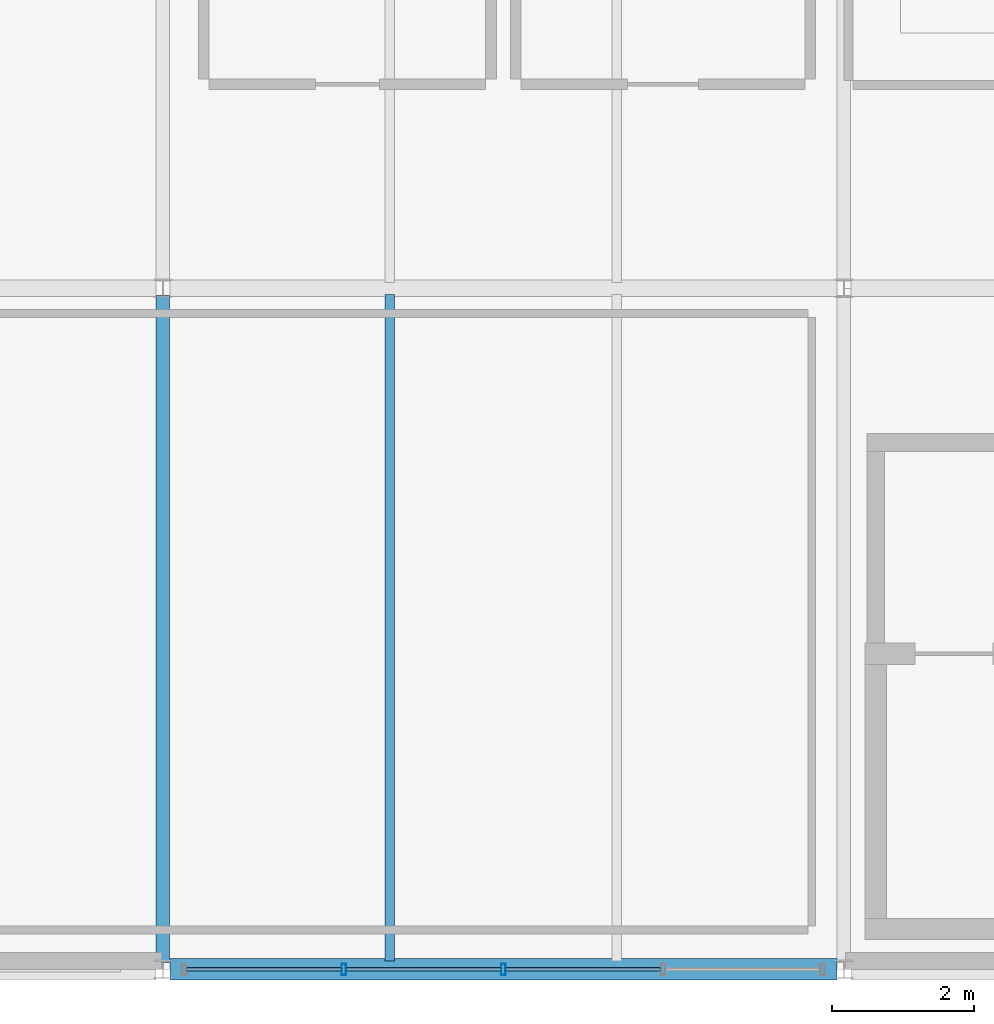
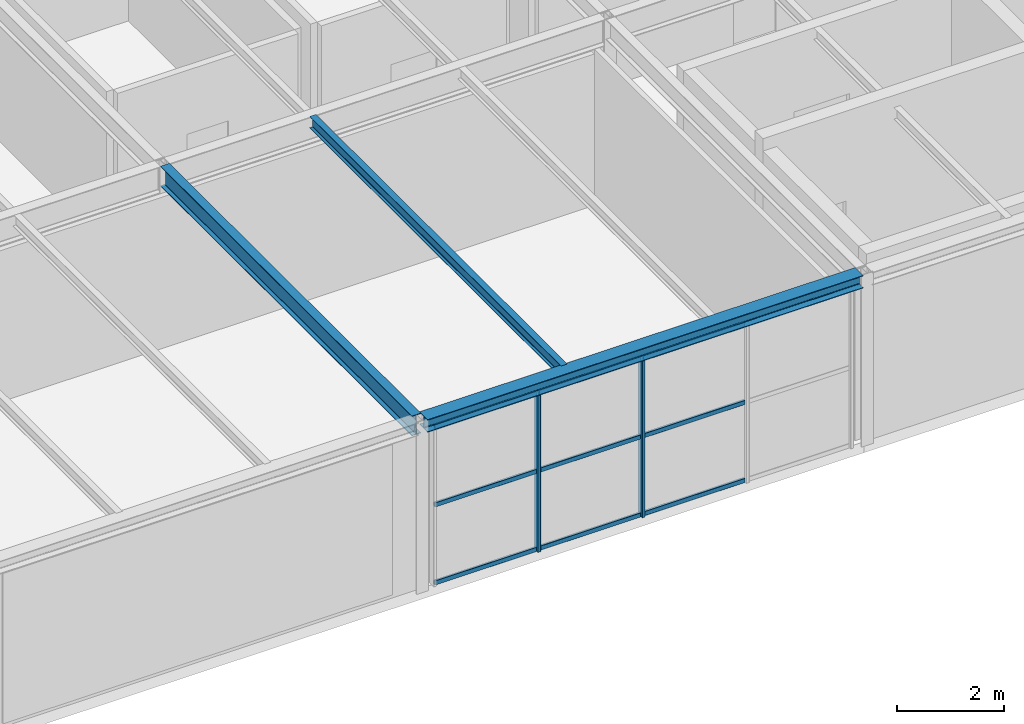
# One storey, part 6 of 33: 11 members, 3 beams, 1 element without a shape of its own.
"""IFC4 building model written with IfcOpenShell, lengths in metres."""

from ifc_helpers import new_model, si_unit, direction, frame, origin, origin_2d, place, context, subcontext, project, spatial, hollow_rectangle, i_section, extrude, material, material_profile, profile_set, type_object, element, aggregate, save


model = new_model("IFC4")

# Units and contexts
model_context = context("Model", 3, precision=1e-05, world=origin(), true_north=direction((0.0, 1.0)))
body_context = subcontext(model_context, "Body", "Model", "MODEL_VIEW")
ifc_project = project(units=[si_unit("LENGTHUNIT", "METRE"), si_unit("AREAUNIT", "SQUARE_METRE"), si_unit("VOLUMEUNIT", "CUBIC_METRE"), si_unit("PLANEANGLEUNIT", "RADIAN"), si_unit("MASSUNIT", "GRAM", prefix="KILO")], contexts=[model_context])

# Site, building, storey
site_placement = place(None, origin())
site = spatial("IfcSite", under=ifc_project, at=site_placement, CompositionType="ELEMENT")
building_placement = place(site_placement, origin())
building = spatial("IfcBuilding", under=site, at=building_placement, Name="Coralgate Yard Interchange", CompositionType="ELEMENT")
storey_placement = place(building_placement, frame((0.0, 0.0, 23.10009765625)))
storey = spatial("IfcBuildingStorey", under=building, at=storey_placement, Name="L05", CompositionType="ELEMENT", Elevation=23.10009765625)

# Beams
ifc_material_1 = material(Name="Structural steel S355J2", Category="steel")
ifc_material_profile_1 = material_profile(ifc_material_1, i_section(OverallWidth=0.1904296875, OverallDepth=0.45703125, WebThickness=0.009033203125, FlangeThickness=0.014404296875, FilletRadius=0.01025390625, at=origin_2d()), Name="UB 457x191x74")
ifc_profile_set_1 = profile_set([ifc_material_profile_1], Name="Structural steel S355J2")
beam_type_1 = type_object("IfcBeamType", Name="BM-SB-2", PredefinedType="BEAM", material=ifc_profile_set_1)
beam_1_placement = place(storey_placement, frame((9.60009765625, 0.10009765625, 3.69140625), z_axis=(0.0, 1.0, 0.0), x_axis=(-1.0, 0.0, 0.0)))
element("IfcBeam", 1, at=beam_1_placement, inside=storey, type_object=beam_type_1, Name="L05 primary grid girder X1 Y0-1", PredefinedType="BEAM", context=body_context, shape_type="SweptSolid", body=[
    extrude(i_section(OverallWidth=0.1904296875, OverallDepth=0.45703125, WebThickness=0.009033203125, FlangeThickness=0.014404296875, FilletRadius=0.01025390625, at=origin_2d()), origin(), (0.0, 0.0, 1.0), 9.39990234375),
])
ifc_material_profile_2 = material_profile(ifc_material_1, i_section(OverallWidth=0.135009765625, OverallDepth=0.27001953125, WebThickness=0.006591796875, FlangeThickness=0.01025390625, FilletRadius=0.014892578125, at=origin_2d()), Name="IPE 270")
ifc_profile_set_2 = profile_set([ifc_material_profile_2], Name="Structural steel S355J2")
beam_type_2 = type_object("IfcBeamType", Name="BM-SJ-3", PredefinedType="JOIST", material=ifc_profile_set_2)
beam_2_placement = place(storey_placement, frame((12.800048828125, 0.1201171875, 3.784912109375), z_axis=(0.0, 1.0, 0.0), x_axis=(-1.0, 0.0, 0.0)))
element("IfcBeam", 2, at=beam_2_placement, inside=storey, type_object=beam_type_2, Name="L05 composite floor joist 1-0-1", PredefinedType="JOIST", context=body_context, shape_type="SweptSolid", body=[
    extrude(i_section(OverallWidth=0.135009765625, OverallDepth=0.27001953125, WebThickness=0.006591796875, FlangeThickness=0.01025390625, FilletRadius=0.014892578125, at=origin_2d()), origin(), (0.0, 0.0, 1.0), 9.395751953125),
])
ifc_material_profile_3 = material_profile(ifc_material_1, i_section(OverallWidth=0.300048828125, OverallDepth=0.2900390625, WebThickness=0.008544921875, FlangeThickness=0.013916015625, FilletRadius=0.027099609375, at=origin_2d()), Name="HEA 300")
ifc_profile_set_3 = profile_set([ifc_material_profile_3], Name="Structural steel S355J2")
beam_type_3 = type_object("IfcBeamType", Name="BM-SP-2", PredefinedType="SPANDREL", material=ifc_profile_set_3)
beam_3_placement = place(storey_placement, frame((9.6982421875, 0.0, 3.77490234375), z_axis=(1.0, 0.0, 0.0), x_axis=(0.0, 1.0, 0.0)))
element("IfcBeam", 3, at=beam_3_placement, inside=storey, type_object=beam_type_3, Name="L05 primary grid beam Y0 X1-2", PredefinedType="SPANDREL", context=body_context, shape_type="SweptSolid", body=[
    extrude(i_section(OverallWidth=0.300048828125, OverallDepth=0.2900390625, WebThickness=0.008544921875, FlangeThickness=0.013916015625, FilletRadius=0.027099609375, at=origin_2d()), origin(), (0.0, 0.0, 1.0), 9.403564453125),
])

# Curtain wall, members
ifc_material_2 = material(Name="Anodised coastal aluminium and solar-control low-E glass", Category="aluminium")
curtain_wall_type = type_object("IfcCurtainWallType", Name="CW-CW-L05-A", PredefinedType="NOTDEFINED", material=ifc_material_2)
curtain_wall_placement = place(storey_placement, origin())
curtain_wall = element("IfcCurtainWall", 4, at=curtain_wall_placement, inside=storey, type_object=curtain_wall_type, Name="L05 unitised curtain wall CW-L05-S-01-00", PredefinedType="NOTDEFINED")
ifc_material_3 = material(Name="Anodised coastal aluminium 6063-T6", Category="aluminium")
ifc_material_profile_4 = material_profile(ifc_material_3, hollow_rectangle(XDim=0.06494140625, YDim=0.159912109375, WallThickness=0.00390625, InnerFilletRadius=0.00390625, OuterFilletRadius=0.008056640625, at=origin_2d()), Name="ALU 65x160x4")
ifc_profile_set_4 = profile_set([ifc_material_profile_4], Name="Anodised coastal aluminium 6063-T6")
member_type_1 = type_object("IfcMemberType", Name="MB-MUL-160", PredefinedType="MULLION", material=ifc_profile_set_4)
member_1_placement = place(storey_placement, frame((14.39990234375, 0.0, 0.0), z_axis=(0.0, 0.0, 1.0), x_axis=(1.0, 0.0, 0.0)))
member_1 = element("IfcMember", 5, at=member_1_placement, type_object=member_type_1, Name="CW-L05-S-01-00 vertical mullion 3", PredefinedType="MULLION", context=body_context, shape_type="SweptSolid", body=[
    extrude(hollow_rectangle(XDim=0.06494140625, YDim=0.159912109375, WallThickness=0.00390625, InnerFilletRadius=0.00390625, OuterFilletRadius=0.008056640625, at=origin_2d()), origin(), (0.0, 0.0, 1.0), 3.6298828125),
])
member_2_placement = place(storey_placement, frame((12.14990234375, 0.0, 0.0), z_axis=(0.0, 0.0, 1.0), x_axis=(1.0, 0.0, 0.0)))
member_2 = element("IfcMember", 6, at=member_2_placement, type_object=member_type_1, Name="CW-L05-S-01-00 vertical mullion 4", PredefinedType="MULLION", context=body_context, shape_type="SweptSolid", body=[
    extrude(hollow_rectangle(XDim=0.06494140625, YDim=0.159912109375, WallThickness=0.00390625, InnerFilletRadius=0.00390625, OuterFilletRadius=0.008056640625, at=origin_2d()), origin(), (0.0, 0.0, 1.0), 3.6298828125),
])
ifc_material_profile_5 = material_profile(ifc_material_3, hollow_rectangle(XDim=0.050048828125, YDim=0.10009765625, WallThickness=0.0029296875, InnerFilletRadius=0.0029296875, OuterFilletRadius=0.006103515625, at=origin_2d()), Name="ALU 50x100x3")
ifc_profile_set_5 = profile_set([ifc_material_profile_5], Name="Anodised coastal aluminium 6063-T6")
member_type_2 = type_object("IfcMemberType", Name="MB-TRN-100", PredefinedType="USERDEFINED", material=ifc_profile_set_5)
member_3_placement = place(storey_placement, frame((16.6201171875, 0.0, 0.034912109375), z_axis=(-1.0, 0.0, 0.0), x_axis=(0.0, -1.0, 0.0)))
member_3 = element("IfcMember", 7, at=member_3_placement, type_object=member_type_2, Name="CW-L05-S-01-00 horizontal transom 2-1", ObjectType="TRANSOM", PredefinedType="USERDEFINED", context=body_context, shape_type="SweptSolid", body=[
    extrude(hollow_rectangle(XDim=0.050048828125, YDim=0.10009765625, WallThickness=0.0029296875, InnerFilletRadius=0.0029296875, OuterFilletRadius=0.006103515625, at=origin_2d()), origin(), (0.0, 0.0, 1.0), 2.190185546875),
])
member_4_placement = place(storey_placement, frame((16.6201171875, 0.0, 1.81494140625), z_axis=(-1.0, 0.0, 0.0), x_axis=(0.0, -1.0, 0.0)))
member_4 = element("IfcMember", 8, at=member_4_placement, type_object=member_type_2, Name="CW-L05-S-01-00 horizontal transom 2-2", ObjectType="TRANSOM", PredefinedType="USERDEFINED", context=body_context, shape_type="SweptSolid", body=[
    extrude(hollow_rectangle(XDim=0.050048828125, YDim=0.10009765625, WallThickness=0.0029296875, InnerFilletRadius=0.0029296875, OuterFilletRadius=0.006103515625, at=origin_2d()), origin(), (0.0, 0.0, 1.0), 2.190185546875),
])
member_5_placement = place(storey_placement, frame((16.6201171875, 0.0, 3.594970703125), z_axis=(-1.0, 0.0, 0.0), x_axis=(0.0, -1.0, 0.0)))
member_5 = element("IfcMember", 9, at=member_5_placement, type_object=member_type_2, Name="CW-L05-S-01-00 horizontal transom 2-3", ObjectType="TRANSOM", PredefinedType="USERDEFINED", context=body_context, shape_type="SweptSolid", body=[
    extrude(hollow_rectangle(XDim=0.050048828125, YDim=0.10009765625, WallThickness=0.0029296875, InnerFilletRadius=0.0029296875, OuterFilletRadius=0.006103515625, at=origin_2d()), origin(), (0.0, 0.0, 1.0), 2.190185546875),
])
member_6_placement = place(storey_placement, frame((14.3701171875, 0.0, 0.034912109375), z_axis=(-1.0, 0.0, 0.0), x_axis=(0.0, -1.0, 0.0)))
member_6 = element("IfcMember", 10, at=member_6_placement, type_object=member_type_2, Name="CW-L05-S-01-00 horizontal transom 3-1", ObjectType="TRANSOM", PredefinedType="USERDEFINED", context=body_context, shape_type="SweptSolid", body=[
    extrude(hollow_rectangle(XDim=0.050048828125, YDim=0.10009765625, WallThickness=0.0029296875, InnerFilletRadius=0.0029296875, OuterFilletRadius=0.006103515625, at=origin_2d()), origin(), (0.0, 0.0, 1.0), 2.190185546875),
])
member_7_placement = place(storey_placement, frame((14.3701171875, 0.0, 1.81494140625), z_axis=(-1.0, 0.0, 0.0), x_axis=(0.0, -1.0, 0.0)))
member_7 = element("IfcMember", 11, at=member_7_placement, type_object=member_type_2, Name="CW-L05-S-01-00 horizontal transom 3-2", ObjectType="TRANSOM", PredefinedType="USERDEFINED", context=body_context, shape_type="SweptSolid", body=[
    extrude(hollow_rectangle(XDim=0.050048828125, YDim=0.10009765625, WallThickness=0.0029296875, InnerFilletRadius=0.0029296875, OuterFilletRadius=0.006103515625, at=origin_2d()), origin(), (0.0, 0.0, 1.0), 2.190185546875),
])
member_8_placement = place(storey_placement, frame((14.3701171875, 0.0, 3.594970703125), z_axis=(-1.0, 0.0, 0.0), x_axis=(0.0, -1.0, 0.0)))
member_8 = element("IfcMember", 12, at=member_8_placement, type_object=member_type_2, Name="CW-L05-S-01-00 horizontal transom 3-3", ObjectType="TRANSOM", PredefinedType="USERDEFINED", context=body_context, shape_type="SweptSolid", body=[
    extrude(hollow_rectangle(XDim=0.050048828125, YDim=0.10009765625, WallThickness=0.0029296875, InnerFilletRadius=0.0029296875, OuterFilletRadius=0.006103515625, at=origin_2d()), origin(), (0.0, 0.0, 1.0), 2.190185546875),
])
member_9_placement = place(storey_placement, frame((12.1201171875, 0.0, 0.034912109375), z_axis=(-1.0, 0.0, 0.0), x_axis=(0.0, -1.0, 0.0)))
member_9 = element("IfcMember", 13, at=member_9_placement, type_object=member_type_2, Name="CW-L05-S-01-00 horizontal transom 4-1", ObjectType="TRANSOM", PredefinedType="USERDEFINED", context=body_context, shape_type="SweptSolid", body=[
    extrude(hollow_rectangle(XDim=0.050048828125, YDim=0.10009765625, WallThickness=0.0029296875, InnerFilletRadius=0.0029296875, OuterFilletRadius=0.006103515625, at=origin_2d()), origin(), (0.0, 0.0, 1.0), 2.190185546875),
])
member_10_placement = place(storey_placement, frame((12.1201171875, 0.0, 1.81494140625), z_axis=(-1.0, 0.0, 0.0), x_axis=(0.0, -1.0, 0.0)))
member_10 = element("IfcMember", 14, at=member_10_placement, type_object=member_type_2, Name="CW-L05-S-01-00 horizontal transom 4-2", ObjectType="TRANSOM", PredefinedType="USERDEFINED", context=body_context, shape_type="SweptSolid", body=[
    extrude(hollow_rectangle(XDim=0.050048828125, YDim=0.10009765625, WallThickness=0.0029296875, InnerFilletRadius=0.0029296875, OuterFilletRadius=0.006103515625, at=origin_2d()), origin(), (0.0, 0.0, 1.0), 2.190185546875),
])
member_11_placement = place(storey_placement, frame((12.1201171875, 0.0, 3.594970703125), z_axis=(-1.0, 0.0, 0.0), x_axis=(0.0, -1.0, 0.0)))
member_11 = element("IfcMember", 15, at=member_11_placement, type_object=member_type_2, Name="CW-L05-S-01-00 horizontal transom 4-3", ObjectType="TRANSOM", PredefinedType="USERDEFINED", context=body_context, shape_type="SweptSolid", body=[
    extrude(hollow_rectangle(XDim=0.050048828125, YDim=0.10009765625, WallThickness=0.0029296875, InnerFilletRadius=0.0029296875, OuterFilletRadius=0.006103515625, at=origin_2d()), origin(), (0.0, 0.0, 1.0), 2.190185546875),
])
aggregate(curtain_wall, [member_1, member_2, member_3, member_4, member_5, member_6, member_7, member_8, member_9, member_10, member_11])

save(model, "model.ifc")
